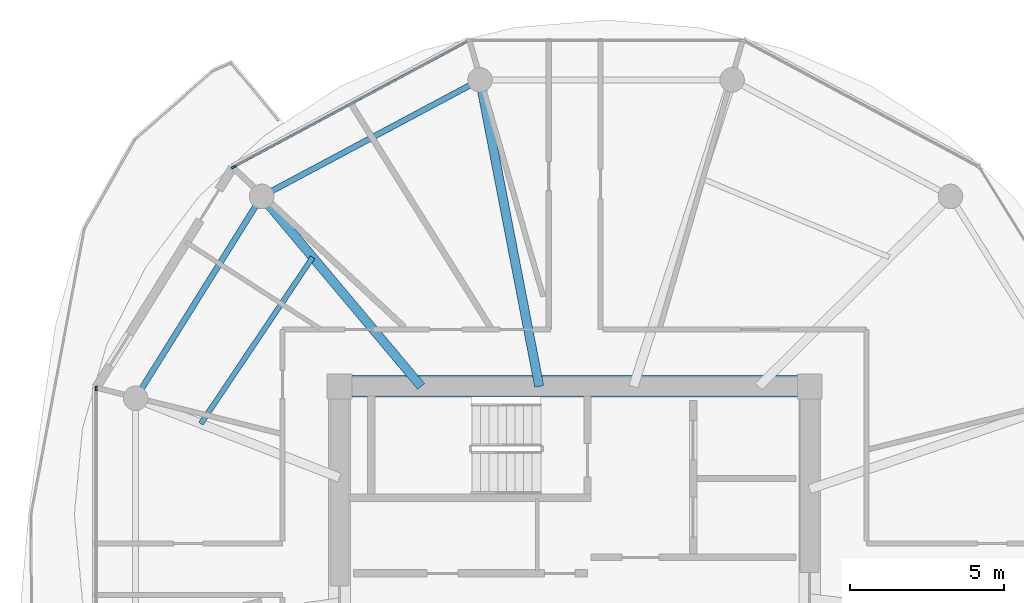
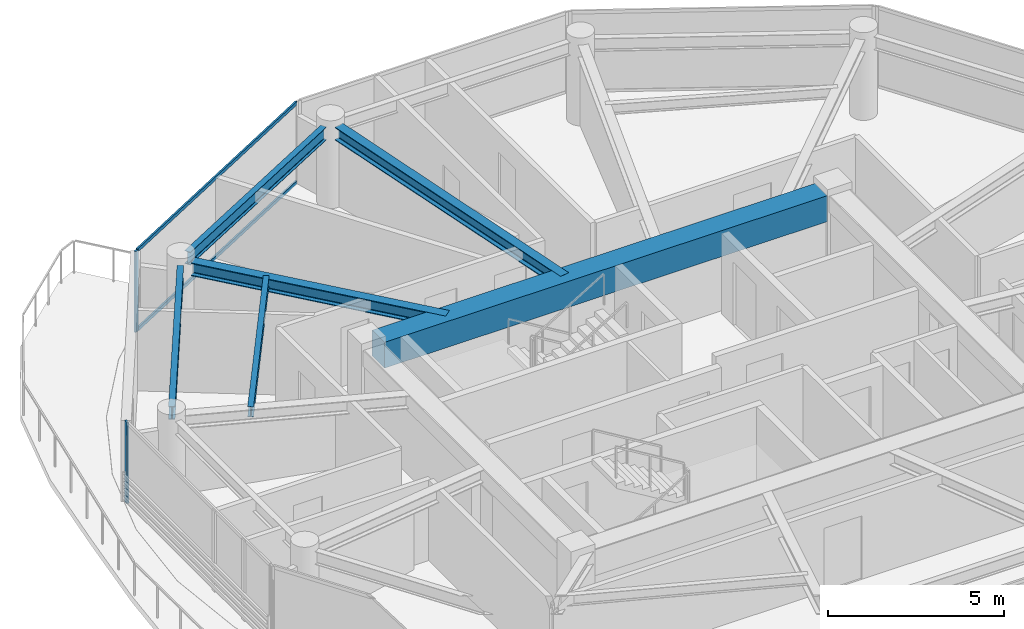
# One storey, part 4 of 23: 6 beams, 4 members, 2 elements without a shape of their own.
"""IFC4 building model written with IfcOpenShell, lengths in metres."""

from ifc_helpers import new_model, si_unit, direction, frame, origin, origin_2d, place, context, subcontext, project, spatial, rectangle, i_section, extrude, source, transform, mapped, material, layer, layer_set, material_profile, profile_set, type_object, type_shapes, element, aggregate, save


model = new_model("IFC4")

# Units and contexts
model_context = context("Model", 3, precision=1e-05, world=origin(), true_north=direction((0.0, 1.0)))
body_context = subcontext(model_context, "Body", "Model", "MODEL_VIEW")
ifc_project = project(units=[si_unit("LENGTHUNIT", "METRE"), si_unit("AREAUNIT", "SQUARE_METRE"), si_unit("VOLUMEUNIT", "CUBIC_METRE"), si_unit("PLANEANGLEUNIT", "RADIAN"), si_unit("MASSUNIT", "GRAM", prefix="KILO")], contexts=[model_context])

# Site, building, storey
site_placement = place(None, origin())
site = spatial("IfcSite", under=ifc_project, at=site_placement, CompositionType="ELEMENT")
building_placement = place(site_placement, origin())
building = spatial("IfcBuilding", under=site, at=building_placement, Name="Norrkilde Senior Care Towers", CompositionType="ELEMENT")
storey_placement = place(building_placement, frame((0.0, 0.0, 164.800048828125)))
storey = spatial("IfcBuildingStorey", under=building, at=storey_placement, Name="L51", CompositionType="ELEMENT", Elevation=164.800048828125)

# Beams
ifc_material_1 = material(Name="Concrete C60/75", Category="concrete")
ifc_material_profile_1 = material_profile(ifc_material_1, rectangle(XDim=0.699951171875, YDim=0.89990234375, at=origin_2d()), Name="RC BM 700x900")
ifc_profile_set_1 = profile_set([ifc_material_profile_1], Name="Concrete C60/75")
beam_type_1 = type_object("IfcBeamType", Name="Core Coupling Girder 700x900", PredefinedType="USERDEFINED", material=ifc_profile_set_1)
shared_shape_1 = source(origin(), body_context, "Body", "SweptSolid", [
    extrude(rectangle(XDim=0.699951171875, YDim=0.89990234375, at=origin_2d()), origin(), (0.0, 0.0, 1.0), 14.5400390625),
])
type_shapes(beam_type_1, [shared_shape_1])
beam_1_placement = place(storey_placement, frame((-35.27001953125, 5.949951171875, 2.35986328125), z_axis=(1.0, 0.0, 0.0), x_axis=(0.0, 1.0, 0.0)))
element("IfcBeam", 1, at=beam_1_placement, inside=storey, type_object=beam_type_1, Name="L51 Core W N Coupling Girder", ObjectType="GIRDER", PredefinedType="USERDEFINED", context=body_context, shape_type="MappedRepresentation", body=[
    mapped(shared_shape_1, transform((0.0, 0.0, 0.0), x_axis=(1.0, 0.0, 0.0), y_axis=(0.0, 1.0, 0.0), z_axis=(0.0, 0.0, 1.0), scale=1.0)),
])
ifc_material_2 = material(Name="Steel S355", Category="steel")
ifc_material_profile_2 = material_profile(ifc_material_2, i_section(OverallWidth=0.18994140625, OverallDepth=0.449951171875, WebThickness=0.009521484375, FlangeThickness=0.0146484375, FilletRadius=0.02099609375, at=origin_2d()), Name="IPE 450")
ifc_profile_set_2 = profile_set([ifc_material_profile_2], Name="Steel S355")
beam_type_2 = type_object("IfcBeamType", Name="Perimeter Ring Spandrel Z3 IPE450", PredefinedType="SPANDREL", material=ifc_profile_set_2)
shared_shape_2 = source(origin(), body_context, "Body", "SweptSolid", [
    extrude(i_section(OverallWidth=0.18994140625, OverallDepth=0.449951171875, WebThickness=0.009521484375, FlangeThickness=0.0146484375, FilletRadius=0.02099609375, at=origin_2d()), origin(), (0.0, 0.0, 1.0), 7.0234375),
])
beam_2_placement = place(storey_placement, frame((-38.373291015625, 11.8291015625, 2.5849609375), z_axis=(-0.529789577822, -0.848129119433, 0.0), x_axis=(0.848129119433, -0.529789577822, 0.0)))
element("IfcBeam", 2, at=beam_2_placement, inside=storey, type_object=beam_type_2, Name="L51 Drum W Perimeter Spandrel 05", PredefinedType="SPANDREL", context=body_context, shape_type="MappedRepresentation", body=[
    mapped(shared_shape_2, transform((0.0, 0.0, 0.0), x_axis=(1.0, 0.0, 0.0), y_axis=(0.0, 1.0, 0.0), z_axis=(0.0, 0.0, 1.0), scale=1.0)),
])
shared_shape_3 = source(origin(), body_context, "Body", "SweptSolid", [
    extrude(i_section(OverallWidth=0.18994140625, OverallDepth=0.449951171875, WebThickness=0.009521484375, FlangeThickness=0.0146484375, FilletRadius=0.02099609375, at=origin_2d()), origin(), (0.0, 0.0, 1.0), 7.333740234375),
])
type_shapes(beam_type_2, [shared_shape_2, shared_shape_3])
beam_3_placement = place(storey_placement, frame((-31.394775390625, 15.756591796875, 2.5849609375), z_axis=(-0.882247866069, -0.470785198172, 0.0), x_axis=(0.470785198172, -0.882247866069, 0.0)))
element("IfcBeam", 3, at=beam_3_placement, inside=storey, type_object=beam_type_2, Name="L51 Drum W Perimeter Spandrel 04", PredefinedType="SPANDREL", context=body_context, shape_type="MappedRepresentation", body=[
    mapped(shared_shape_3, transform((0.0, 0.0, 0.0), x_axis=(1.0, 0.0, 0.0), y_axis=(0.0, 1.0, 0.0), z_axis=(0.0, 0.0, 1.0), scale=1.0)),
])
ifc_material_profile_3 = material_profile(ifc_material_2, i_section(OverallWidth=0.300048828125, OverallDepth=0.449951171875, WebThickness=0.013916015625, FlangeThickness=0.02587890625, FilletRadius=0.027099609375, at=origin_2d()), Name="HEB 450")
ifc_profile_set_3 = profile_set([ifc_material_profile_3], Name="Steel S355")
beam_type_3 = type_object("IfcBeamType", Name="Radial Floor Beam Z3 HEB450", PredefinedType="BEAM", material=ifc_profile_set_3)
shared_shape_4 = source(origin(), body_context, "Body", "SweptSolid", [
    extrude(i_section(OverallWidth=0.300048828125, OverallDepth=0.449951171875, WebThickness=0.013916015625, FlangeThickness=0.02587890625, FilletRadius=0.027099609375, at=origin_2d()), origin(), (0.0, 0.0, 1.0), 9.80078125),
])
beam_4_placement = place(storey_placement, frame((-29.149658203125, 5.949951171875, 2.5849609375), z_axis=(-0.189716727661, 0.98183886827, 0.0), x_axis=(-0.98183886827, -0.189716727661, 0.0)))
element("IfcBeam", 4, at=beam_4_placement, inside=storey, type_object=beam_type_3, Name="L51 Drum W Radial Floor Beam 04", PredefinedType="BEAM", context=body_context, shape_type="MappedRepresentation", body=[
    mapped(shared_shape_4, transform((0.0, 0.0, 0.0), x_axis=(1.0, 0.0, 0.0), y_axis=(0.0, 1.0, 0.0), z_axis=(0.0, 0.0, 1.0), scale=1.0)),
])
shared_shape_5 = source(origin(), body_context, "Body", "SweptSolid", [
    extrude(i_section(OverallWidth=0.300048828125, OverallDepth=0.449951171875, WebThickness=0.013916015625, FlangeThickness=0.02587890625, FilletRadius=0.027099609375, at=origin_2d()), origin(), (0.0, 0.0, 1.0), 7.71337890625),
])
type_shapes(beam_type_3, [shared_shape_4, shared_shape_5])
beam_5_placement = place(storey_placement, frame((-32.992919921875, 5.949951171875, 2.5849609375), z_axis=(-0.642808239864, 0.766027131872, 0.0), x_axis=(-0.766027131872, -0.642808239864, 0.0)))
element("IfcBeam", 5, at=beam_5_placement, inside=storey, type_object=beam_type_3, Name="L51 Drum W Radial Floor Beam 05", PredefinedType="BEAM", context=body_context, shape_type="MappedRepresentation", body=[
    mapped(shared_shape_5, transform((0.0, 0.0, 0.0), x_axis=(1.0, 0.0, 0.0), y_axis=(0.0, 1.0, 0.0), z_axis=(0.0, 0.0, 1.0), scale=1.0)),
])
ifc_material_profile_4 = material_profile(ifc_material_2, i_section(OverallWidth=0.169921875, OverallDepth=0.360107421875, WebThickness=0.008056640625, FlangeThickness=0.0126953125, FilletRadius=0.01806640625, at=origin_2d()), Name="IPE 360")
ifc_profile_set_4 = profile_set([ifc_material_profile_4], Name="Steel S355")
beam_type_4 = type_object("IfcBeamType", Name="Secondary Floor Joist IPE360", PredefinedType="JOIST", material=ifc_profile_set_4)
shared_shape_6 = source(origin(), body_context, "Body", "SweptSolid", [
    extrude(i_section(OverallWidth=0.169921875, OverallDepth=0.360107421875, WebThickness=0.008056640625, FlangeThickness=0.0126953125, FilletRadius=0.01806640625, at=origin_2d()), origin(), (0.0, 0.0, 1.0), 6.525390625),
])
type_shapes(beam_type_4, [shared_shape_6])
beam_6_placement = place(storey_placement, frame((-36.52197265625, 10.155517578125, 2.6298828125), z_axis=(-0.55779590102, -0.829978152005, 0.0), x_axis=(0.829978152005, -0.55779590102, 0.0)))
element("IfcBeam", 6, at=beam_6_placement, inside=storey, type_object=beam_type_4, Name="L51 Drum W Secondary Floor Joist 2", PredefinedType="JOIST", context=body_context, shape_type="MappedRepresentation", body=[
    mapped(shared_shape_6, transform((0.0, 0.0, 0.0), x_axis=(1.0, 0.0, 0.0), y_axis=(0.0, 1.0, 0.0), z_axis=(0.0, 0.0, 1.0), scale=1.0)),
])

# Curtain wall, member
ifc_material_3 = material(Name="Triple Low-E Insulated Glazing", Category="glass")
ifc_layer = layer(ifc_material_3, 0.18994140625)
ifc_layer_set = layer_set([ifc_layer], Name="Triple Low-E Insulated Glazing")
curtain_wall_type = type_object("IfcCurtainWallType", Name="CW4 Zone 3 Senior Residence Curtain Wall", PredefinedType="NOTDEFINED", material=ifc_layer_set)
curtain_wall_1_placement = place(storey_placement, origin())
curtain_wall_1 = element("IfcCurtainWall", 7, at=curtain_wall_1_placement, inside=storey, type_object=curtain_wall_type, Name="L51 Drum W Curtain Wall 03", PredefinedType="NOTDEFINED")
ifc_material_4 = material(Name="Anodised Aluminium", Category="aluminium")
ifc_material_profile_5 = material_profile(ifc_material_4, rectangle(XDim=0.06494140625, YDim=0.14990234375, at=origin_2d()), Name="ALU MULL 65x150")
ifc_profile_set_5 = profile_set([ifc_material_profile_5], Name="Anodised Aluminium")
member_type_1 = type_object("IfcMemberType", Name="Curtain Wall Mullion Z3-Z4 65x150", PredefinedType="MULLION", material=ifc_profile_set_5)
shared_shape_7 = source(origin(), body_context, "Body", "SweptSolid", [
    extrude(rectangle(XDim=0.06494140625, YDim=0.14990234375, at=origin_2d()), origin(), (0.0, 0.0, 1.0), 2.81005859375),
])
type_shapes(member_type_1, [shared_shape_7])
member_1_placement = place(storey_placement, frame((-39.094482421875, 13.09033203125, 0.0), z_axis=(0.0, 0.0, 1.0), x_axis=(-0.47311715104, 0.880999524059, 0.0)))
member_1 = element("IfcMember", 8, at=member_1_placement, type_object=member_type_1, Name="CW-4 mullion 1", PredefinedType="MULLION", context=body_context, shape_type="MappedRepresentation", body=[
    mapped(shared_shape_7, transform((0.0, 0.0, 0.0), x_axis=(1.0, 0.0, 0.0), y_axis=(0.0, 1.0, 0.0), z_axis=(0.0, 0.0, 1.0), scale=1.0)),
])

curtain_wall_2_placement = place(storey_placement, origin())
curtain_wall_2 = element("IfcCurtainWall", 9, at=curtain_wall_2_placement, inside=storey, type_object=curtain_wall_type, Name="L51 Drum W Curtain Wall 05", PredefinedType="NOTDEFINED")
member_2_placement = place(storey_placement, frame((-43.569580078125, 5.878662109375, 0.0), z_axis=(0.0, 0.0, 1.0), x_axis=(-1.0, 0.0, 0.0)))
member_2 = element("IfcMember", 10, at=member_2_placement, type_object=member_type_1, Name="CW-4 mullion 2", PredefinedType="MULLION", context=body_context, shape_type="MappedRepresentation", body=[
    mapped(shared_shape_7, transform((0.0, 0.0, 0.0), x_axis=(1.0, 0.0, 0.0), y_axis=(0.0, 1.0, 0.0), z_axis=(0.0, 0.0, 1.0), scale=1.0)),
])
aggregate(curtain_wall_2, [member_2])

# Member
ifc_material_profile_6 = material_profile(ifc_material_4, rectangle(XDim=0.06005859375, YDim=0.1201171875, at=origin_2d()), Name="ALU TRAN 60x120")
ifc_profile_set_6 = profile_set([ifc_material_profile_6], Name="Anodised Aluminium")
member_type_2 = type_object("IfcMemberType", Name="Curtain Wall Transom Typical 60x120", PredefinedType="USERDEFINED", material=ifc_profile_set_6)
shared_shape_8 = source(origin(), body_context, "Body", "SweptSolid", [
    extrude(rectangle(XDim=0.06005859375, YDim=0.1201171875, at=origin_2d()), origin(), (0.0, 0.0, 1.0), 8.612060546875),
])
type_shapes(member_type_2, [shared_shape_8])
member_3_placement = place(storey_placement, frame((-39.06591796875, 13.105712890625, 0.030029296875), z_axis=(0.881000337462, 0.473115636384, 0.0), x_axis=(-0.473115636384, 0.881000337462, 0.0)))
member_3 = element("IfcMember", 11, at=member_3_placement, type_object=member_type_2, Name="CW-4 transom 1.1", ObjectType="TRANSOM", PredefinedType="USERDEFINED", context=body_context, shape_type="MappedRepresentation", body=[
    mapped(shared_shape_8, transform((0.0, 0.0, 0.0), x_axis=(1.0, 0.0, 0.0), y_axis=(0.0, 1.0, 0.0), z_axis=(0.0, 0.0, 1.0), scale=1.0)),
])

member_4_placement = place(storey_placement, frame((-39.06591796875, 13.105712890625, 2.780029296875), z_axis=(0.881000337462, 0.473115636384, 0.0), x_axis=(-0.473115636384, 0.881000337462, 0.0)))
member_4 = element("IfcMember", 12, at=member_4_placement, type_object=member_type_2, Name="CW-4 transom 1.2", ObjectType="TRANSOM", PredefinedType="USERDEFINED", context=body_context, shape_type="MappedRepresentation", body=[
    mapped(shared_shape_8, transform((0.0, 0.0, 0.0), x_axis=(1.0, 0.0, 0.0), y_axis=(0.0, 1.0, 0.0), z_axis=(0.0, 0.0, 1.0), scale=1.0)),
])

aggregate(curtain_wall_1, [member_1, member_3, member_4])

save(model, "model.ifc")
